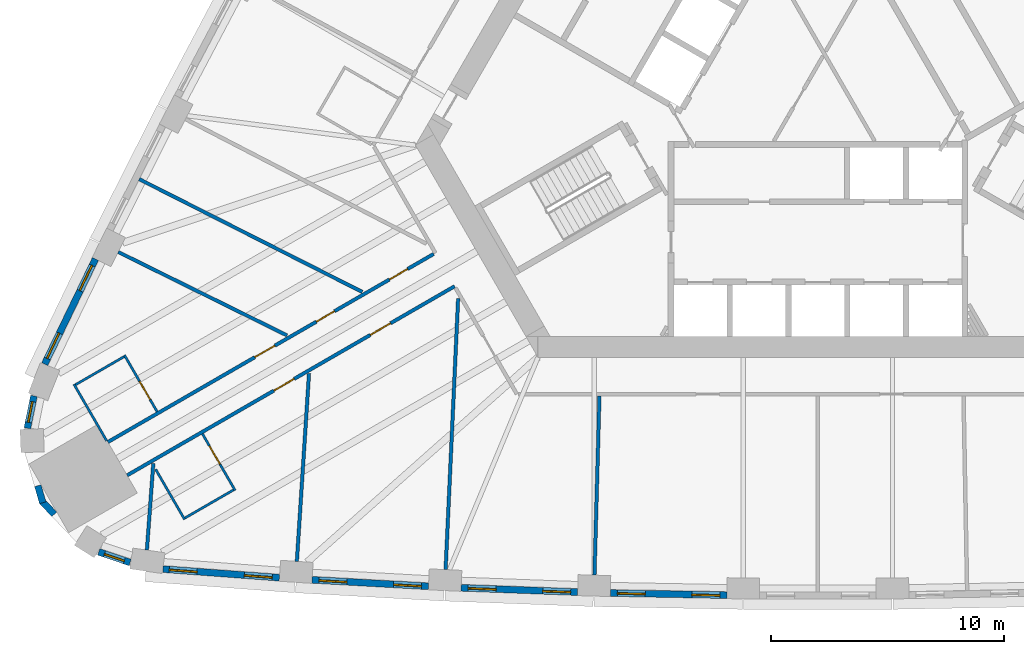
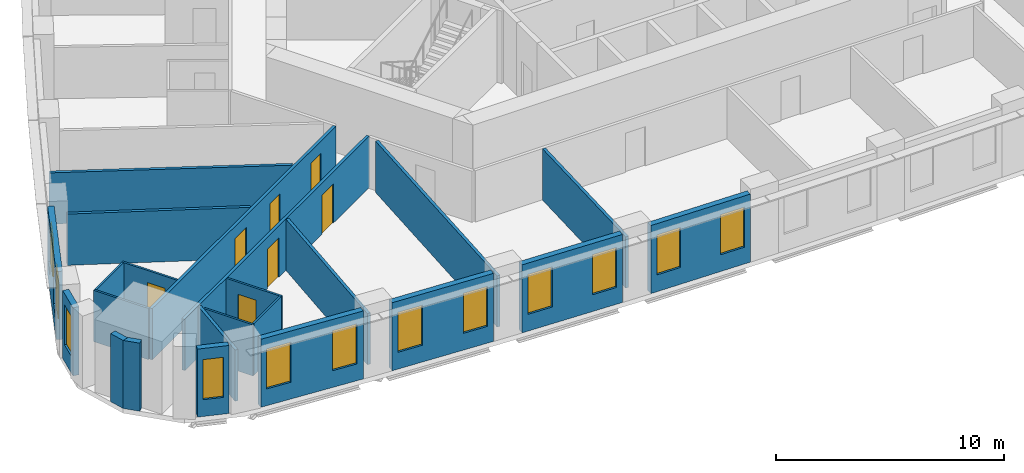
# One storey, part 3 of 12: 23 walls, 12 windows, 7 doors, 19 openings.
"""IFC4 building model written with IfcOpenShell, lengths in metres."""

from ifc_helpers import new_model, si_unit, direction, frame, frame_2d, origin, place, context, subcontext, project, spatial, rectangle, extrude, material, layer, layer_set, type_object, element, fill, save


model = new_model("IFC4")

# Units and contexts
model_context = context("Model", 3, precision=1e-05, world=origin(), true_north=direction((0.0, 1.0)))
body_context = subcontext(model_context, "Body", "Model", "MODEL_VIEW")
ifc_project = project(units=[si_unit("LENGTHUNIT", "METRE"), si_unit("AREAUNIT", "SQUARE_METRE"), si_unit("VOLUMEUNIT", "CUBIC_METRE"), si_unit("PLANEANGLEUNIT", "RADIAN"), si_unit("MASSUNIT", "GRAM", prefix="KILO")], contexts=[model_context])

# Site, building, storey
site_placement = place(None, origin())
site = spatial("IfcSite", under=ifc_project, at=site_placement, CompositionType="ELEMENT")
building_placement = place(site_placement, origin())
building = spatial("IfcBuilding", under=site, at=building_placement, Name="Mestral Congress Tower", CompositionType="ELEMENT")
storey_placement = place(building_placement, frame((0.0, 0.0, 43.199951171875)))
storey = spatial("IfcBuildingStorey", under=building, at=storey_placement, Name="L09", CompositionType="ELEMENT", Elevation=43.199951171875)

# Wall, openings, windows
ifc_material_1 = material(Name="Precast concrete C40/50 with limestone facing", Category="masonry")
ifc_layer_1 = layer(ifc_material_1, 0.2900390625)
ifc_layer_set_1 = layer_set([ifc_layer_1], Name="Precast concrete C40/50 with limestone facing")
wall_type_1 = type_object("IfcWallType", Name="Facade stone wall 290", PredefinedType="SOLIDWALL", material=ifc_layer_set_1)
wall_1_placement = place(storey_placement, frame((-28.097900390625, -22.086181640625, 0.0), z_axis=(0.0, 0.0, 1.0), x_axis=(0.997266290399, -0.073891447643, 0.0)))
wall_1 = element("IfcWall", 1, at=wall_1_placement, inside=storey, type_object=wall_type_1, Name="Facade wall F0-00", PredefinedType="SOLIDWALL", context=body_context, shape_type="SweptSolid", body=[
    extrude(rectangle(XDim=5.005615234375, YDim=0.2900390625, at=frame_2d((2.5029296875, 0.0))), origin(), (0.0, 0.0, 1.0), 3.650146484375),
])
opening_1_placement = place(wall_1_placement, frame((0.26513671875, 0.0, 0.89990234375)))
opening_1 = element("IfcOpeningElement", 2, at=opening_1_placement, cuts=wall_1, Name="Opening W1", PredefinedType="OPENING", context=body_context, shape_type="SweptSolid", body=[
    extrude(rectangle(XDim=1.199951171875, YDim=2.14990234375, at=frame_2d((0.60009765625, 1.074951171875))), frame((0.0, 0.155029296875, 0.0), z_axis=(0.0, -1.0, 0.0), x_axis=(1.0, 0.0, 0.0)), (0.0, 0.0, 1.0), 0.31005859375),
])
opening_2_placement = place(wall_1_placement, frame((3.49560546875, 0.0, 0.89990234375)))
opening_2 = element("IfcOpeningElement", 3, at=opening_2_placement, cuts=wall_1, Name="Opening W1", PredefinedType="OPENING", context=body_context, shape_type="SweptSolid", body=[
    extrude(rectangle(XDim=1.199951171875, YDim=2.14990234375, at=frame_2d((0.60009765625, 1.074951171875))), frame((0.0, 0.155029296875, 0.0), z_axis=(0.0, -1.0, 0.0), x_axis=(1.0, 0.0, 0.0)), (0.0, 0.0, 1.0), 0.31005859375),
])
ifc_material_2 = material(Name="Clear low-emissivity double glazing", Category="glass")
window_type_1 = type_object("IfcWindowType", Name="Facade punched window 1200 x 2150 sill 900", PartitioningType="DOUBLE_PANEL_VERTICAL", PredefinedType="WINDOW", material=ifc_material_2)
window_1_placement = place(opening_1_placement, origin())
window_1 = element("IfcWindow", 4, at=window_1_placement, inside=storey, type_object=window_type_1, Name="Window F0-00a", OverallHeight=2.14990234375, OverallWidth=1.199951171875, PartitioningType="DOUBLE_PANEL_VERTICAL", PredefinedType="WINDOW", context=body_context, shape_type="SweptSolid", body=[
    extrude(rectangle(XDim=1.199951171875, YDim=2.14990234375, at=frame_2d((0.60009765625, 1.074951171875))), frame((0.0, 0.01513671875, 0.0), z_axis=(0.0, -1.0, 0.0), x_axis=(1.0, 0.0, 0.0)), (0.0, 0.0, 1.0), 0.06005859375),
])
fill(opening_1, window_1)
window_2_placement = place(opening_2_placement, origin())
window_2 = element("IfcWindow", 5, at=window_2_placement, inside=storey, type_object=window_type_1, Name="Window F0-00b", OverallHeight=2.14990234375, OverallWidth=1.199951171875, PartitioningType="DOUBLE_PANEL_VERTICAL", PredefinedType="WINDOW", context=body_context, shape_type="SweptSolid", body=[
    extrude(rectangle(XDim=1.199951171875, YDim=2.14990234375, at=frame_2d((0.60009765625, 1.074951171875))), frame((0.0, 0.01513671875, 0.0), z_axis=(0.0, -1.0, 0.0), x_axis=(1.0, 0.0, 0.0)), (0.0, 0.0, 1.0), 0.06005859375),
])
fill(opening_2, window_2)

wall_2_placement = place(storey_placement, frame((-21.701416015625, -22.547119140625, 0.0), z_axis=(0.0, 0.0, 1.0), x_axis=(0.998464708705, -0.055391564976, 0.0)))
wall_2 = element("IfcWall", 6, at=wall_2_placement, inside=storey, type_object=wall_type_1, Name="Facade wall F0-01", PredefinedType="SOLIDWALL", context=body_context, shape_type="SweptSolid", body=[
    extrude(rectangle(XDim=4.998046875, YDim=0.2900390625, at=frame_2d((2.4990234375, 0.0))), origin(), (0.0, 0.0, 1.0), 3.650146484375),
])
opening_3_placement = place(wall_2_placement, frame((0.297119140625, 0.0, 0.89990234375)))
opening_3 = element("IfcOpeningElement", 7, at=opening_3_placement, cuts=wall_2, Name="Opening W1", PredefinedType="OPENING", context=body_context, shape_type="SweptSolid", body=[
    extrude(rectangle(XDim=1.199951171875, YDim=2.14990234375, at=frame_2d((0.60009765625, 1.074951171875))), frame((0.0, 0.155029296875, 0.0), z_axis=(0.0, -1.0, 0.0), x_axis=(1.0, 0.0, 0.0)), (0.0, 0.0, 1.0), 0.31005859375),
])
opening_4_placement = place(wall_2_placement, frame((3.501220703125, 0.0, 0.89990234375)))
opening_4 = element("IfcOpeningElement", 8, at=opening_4_placement, cuts=wall_2, Name="Opening W1", PredefinedType="OPENING", context=body_context, shape_type="SweptSolid", body=[
    extrude(rectangle(XDim=1.199951171875, YDim=2.14990234375, at=frame_2d((0.60009765625, 1.074951171875))), frame((0.0, 0.155029296875, 0.0), z_axis=(0.0, -1.0, 0.0), x_axis=(1.0, 0.0, 0.0)), (0.0, 0.0, 1.0), 0.31005859375),
])
window_3_placement = place(opening_3_placement, origin())
window_3 = element("IfcWindow", 9, at=window_3_placement, inside=storey, type_object=window_type_1, Name="Window F0-01a", OverallHeight=2.14990234375, OverallWidth=1.199951171875, PartitioningType="DOUBLE_PANEL_VERTICAL", PredefinedType="WINDOW", context=body_context, shape_type="SweptSolid", body=[
    extrude(rectangle(XDim=1.199951171875, YDim=2.14990234375, at=frame_2d((0.60009765625, 1.074951171875))), frame((0.0, 0.01513671875, 0.0), z_axis=(0.0, -1.0, 0.0), x_axis=(1.0, 0.0, 0.0)), (0.0, 0.0, 1.0), 0.06005859375),
])
fill(opening_3, window_3)
window_4_placement = place(opening_4_placement, origin())
window_4 = element("IfcWindow", 10, at=window_4_placement, inside=storey, type_object=window_type_1, Name="Window F0-01b", OverallHeight=2.14990234375, OverallWidth=1.199951171875, PartitioningType="DOUBLE_PANEL_VERTICAL", PredefinedType="WINDOW", context=body_context, shape_type="SweptSolid", body=[
    extrude(rectangle(XDim=1.199951171875, YDim=2.14990234375, at=frame_2d((0.60009765625, 1.074951171875))), frame((0.0, 0.01513671875, 0.0), z_axis=(0.0, -1.0, 0.0), x_axis=(1.0, 0.0, 0.0)), (0.0, 0.0, 1.0), 0.06005859375),
])
fill(opening_4, window_4)

wall_3_placement = place(storey_placement, frame((-15.30517578125, -22.88916015625, 0.0), z_axis=(0.0, 0.0, 1.0), x_axis=(0.999317974969, -0.036926750529, 0.0)))
wall_3 = element("IfcWall", 11, at=wall_3_placement, inside=storey, type_object=wall_type_1, Name="Facade wall F0-02", PredefinedType="SOLIDWALL", context=body_context, shape_type="SweptSolid", body=[
    extrude(rectangle(XDim=4.998291015625, YDim=0.2900390625, at=frame_2d((2.4990234375, 0.0))), origin(), (0.0, 0.0, 1.0), 3.650146484375),
])
opening_5_placement = place(wall_3_placement, frame((0.297119140625, 0.0, 0.89990234375)))
opening_5 = element("IfcOpeningElement", 12, at=opening_5_placement, cuts=wall_3, Name="Opening W1", PredefinedType="OPENING", context=body_context, shape_type="SweptSolid", body=[
    extrude(rectangle(XDim=1.199951171875, YDim=2.14990234375, at=frame_2d((0.60009765625, 1.074951171875))), frame((0.0, 0.155029296875, 0.0), z_axis=(0.0, -1.0, 0.0), x_axis=(1.0, 0.0, 0.0)), (0.0, 0.0, 1.0), 0.31005859375),
])
opening_6_placement = place(wall_3_placement, frame((3.501220703125, 0.0, 0.89990234375)))
opening_6 = element("IfcOpeningElement", 13, at=opening_6_placement, cuts=wall_3, Name="Opening W1", PredefinedType="OPENING", context=body_context, shape_type="SweptSolid", body=[
    extrude(rectangle(XDim=1.199951171875, YDim=2.14990234375, at=frame_2d((0.60009765625, 1.074951171875))), frame((0.0, 0.155029296875, 0.0), z_axis=(0.0, -1.0, 0.0), x_axis=(1.0, 0.0, 0.0)), (0.0, 0.0, 1.0), 0.31005859375),
])
window_5_placement = place(opening_5_placement, origin())
window_5 = element("IfcWindow", 14, at=window_5_placement, inside=storey, type_object=window_type_1, Name="Window F0-02a", OverallHeight=2.14990234375, OverallWidth=1.199951171875, PartitioningType="DOUBLE_PANEL_VERTICAL", PredefinedType="WINDOW", context=body_context, shape_type="SweptSolid", body=[
    extrude(rectangle(XDim=1.199951171875, YDim=2.14990234375, at=frame_2d((0.60009765625, 1.074951171875))), frame((0.0, 0.01513671875, 0.0), z_axis=(0.0, -1.0, 0.0), x_axis=(1.0, 0.0, 0.0)), (0.0, 0.0, 1.0), 0.06005859375),
])
fill(opening_5, window_5)
window_6_placement = place(opening_6_placement, origin())
window_6 = element("IfcWindow", 15, at=window_6_placement, inside=storey, type_object=window_type_1, Name="Window F0-02b", OverallHeight=2.14990234375, OverallWidth=1.199951171875, PartitioningType="DOUBLE_PANEL_VERTICAL", PredefinedType="WINDOW", context=body_context, shape_type="SweptSolid", body=[
    extrude(rectangle(XDim=1.199951171875, YDim=2.14990234375, at=frame_2d((0.60009765625, 1.074951171875))), frame((0.0, 0.01513671875, 0.0), z_axis=(0.0, -1.0, 0.0), x_axis=(1.0, 0.0, 0.0)), (0.0, 0.0, 1.0), 0.06005859375),
])
fill(opening_6, window_6)

wall_4_placement = place(storey_placement, frame((-8.903564453125, -23.11279296875, 0.0), z_axis=(0.0, 0.0, 1.0), x_axis=(0.999829529479, -0.018463801951, 0.0)))
wall_4 = element("IfcWall", 16, at=wall_4_placement, inside=storey, type_object=wall_type_1, Name="Facade wall F0-03", PredefinedType="SOLIDWALL", context=body_context, shape_type="SweptSolid", body=[
    extrude(rectangle(XDim=4.998046875, YDim=0.2900390625, at=frame_2d((2.4990234375, 0.0))), origin(), (0.0, 0.0, 1.0), 3.650146484375),
])
opening_7_placement = place(wall_4_placement, frame((0.297119140625, 0.0, 0.89990234375)))
opening_7 = element("IfcOpeningElement", 17, at=opening_7_placement, cuts=wall_4, Name="Opening W1", PredefinedType="OPENING", context=body_context, shape_type="SweptSolid", body=[
    extrude(rectangle(XDim=1.199951171875, YDim=2.14990234375, at=frame_2d((0.60009765625, 1.074951171875))), frame((0.0, 0.155029296875, 0.0), z_axis=(0.0, -1.0, 0.0), x_axis=(1.0, 0.0, 0.0)), (0.0, 0.0, 1.0), 0.31005859375),
])
opening_8_placement = place(wall_4_placement, frame((3.501220703125, 0.0, 0.89990234375)))
opening_8 = element("IfcOpeningElement", 18, at=opening_8_placement, cuts=wall_4, Name="Opening W1", PredefinedType="OPENING", context=body_context, shape_type="SweptSolid", body=[
    extrude(rectangle(XDim=1.199951171875, YDim=2.14990234375, at=frame_2d((0.60009765625, 1.074951171875))), frame((0.0, 0.155029296875, 0.0), z_axis=(0.0, -1.0, 0.0), x_axis=(1.0, 0.0, 0.0)), (0.0, 0.0, 1.0), 0.31005859375),
])
window_7_placement = place(opening_7_placement, origin())
window_7 = element("IfcWindow", 19, at=window_7_placement, inside=storey, type_object=window_type_1, Name="Window F0-03a", OverallHeight=2.14990234375, OverallWidth=1.199951171875, PartitioningType="DOUBLE_PANEL_VERTICAL", PredefinedType="WINDOW", context=body_context, shape_type="SweptSolid", body=[
    extrude(rectangle(XDim=1.199951171875, YDim=2.14990234375, at=frame_2d((0.60009765625, 1.074951171875))), frame((0.0, 0.01513671875, 0.0), z_axis=(0.0, -1.0, 0.0), x_axis=(1.0, 0.0, 0.0)), (0.0, 0.0, 1.0), 0.06005859375),
])
fill(opening_7, window_7)
window_8_placement = place(opening_8_placement, origin())
window_8 = element("IfcWindow", 20, at=window_8_placement, inside=storey, type_object=window_type_1, Name="Window F0-03b", OverallHeight=2.14990234375, OverallWidth=1.199951171875, PartitioningType="DOUBLE_PANEL_VERTICAL", PredefinedType="WINDOW", context=body_context, shape_type="SweptSolid", body=[
    extrude(rectangle(XDim=1.199951171875, YDim=2.14990234375, at=frame_2d((0.60009765625, 1.074951171875))), frame((0.0, 0.01513671875, 0.0), z_axis=(0.0, -1.0, 0.0), x_axis=(1.0, 0.0, 0.0)), (0.0, 0.0, 1.0), 0.06005859375),
])
fill(opening_8, window_8)

wall_5_placement = place(storey_placement, frame((-31.000244140625, -8.7822265625, 0.0), z_axis=(0.0, 0.0, 1.0), x_axis=(-0.434664499056, -0.900592456808, 0.0)))
wall_5 = element("IfcWall", 21, at=wall_5_placement, inside=storey, type_object=wall_type_1, Name="Facade wall F2-08", PredefinedType="SOLIDWALL", context=body_context, shape_type="SweptSolid", body=[
    extrude(rectangle(XDim=5.005615234375, YDim=0.2900390625, at=frame_2d((2.5029296875, 0.0))), origin(), (0.0, 0.0, 1.0), 3.650146484375),
])
opening_9_placement = place(wall_5_placement, frame((0.310302734375, 0.0, 0.89990234375)))
opening_9 = element("IfcOpeningElement", 22, at=opening_9_placement, cuts=wall_5, Name="Opening W1", PredefinedType="OPENING", context=body_context, shape_type="SweptSolid", body=[
    extrude(rectangle(XDim=1.199951171875, YDim=2.14990234375, at=frame_2d((0.60009765625, 1.074951171875))), frame((0.0, 0.155029296875, 0.0), z_axis=(0.0, -1.0, 0.0), x_axis=(1.0, 0.0, 0.0)), (0.0, 0.0, 1.0), 0.31005859375),
])
opening_10_placement = place(wall_5_placement, frame((3.54052734375, 0.0, 0.89990234375)))
opening_10 = element("IfcOpeningElement", 23, at=opening_10_placement, cuts=wall_5, Name="Opening W1", PredefinedType="OPENING", context=body_context, shape_type="SweptSolid", body=[
    extrude(rectangle(XDim=1.199951171875, YDim=2.14990234375, at=frame_2d((0.60009765625, 1.074951171875))), frame((0.0, 0.155029296875, 0.0), z_axis=(0.0, -1.0, 0.0), x_axis=(1.0, 0.0, 0.0)), (0.0, 0.0, 1.0), 0.31005859375),
])
window_9_placement = place(opening_9_placement, origin())
window_9 = element("IfcWindow", 24, at=window_9_placement, inside=storey, type_object=window_type_1, Name="Window F2-08a", OverallHeight=2.14990234375, OverallWidth=1.199951171875, PartitioningType="DOUBLE_PANEL_VERTICAL", PredefinedType="WINDOW", context=body_context, shape_type="SweptSolid", body=[
    extrude(rectangle(XDim=1.199951171875, YDim=2.14990234375, at=frame_2d((0.60009765625, 1.074951171875))), frame((0.0, 0.01513671875, 0.0), z_axis=(0.0, -1.0, 0.0), x_axis=(1.0, 0.0, 0.0)), (0.0, 0.0, 1.0), 0.06005859375),
])
fill(opening_9, window_9)
window_10_placement = place(opening_10_placement, origin())
window_10 = element("IfcWindow", 25, at=window_10_placement, inside=storey, type_object=window_type_1, Name="Window F2-08b", OverallHeight=2.14990234375, OverallWidth=1.199951171875, PartitioningType="DOUBLE_PANEL_VERTICAL", PredefinedType="WINDOW", context=body_context, shape_type="SweptSolid", body=[
    extrude(rectangle(XDim=1.199951171875, YDim=2.14990234375, at=frame_2d((0.60009765625, 1.074951171875))), frame((0.0, 0.01513671875, 0.0), z_axis=(0.0, -1.0, 0.0), x_axis=(1.0, 0.0, 0.0)), (0.0, 0.0, 1.0), 0.06005859375),
])
fill(opening_10, window_10)

# Wall, opening, window
wall_6_placement = place(storey_placement, frame((-33.63720703125, -14.656982421875, 0.0), z_axis=(0.0, 0.0, 1.0), x_axis=(-0.198106888228, -0.980180422594, 0.0)))
wall_6 = element("IfcWall", 26, at=wall_6_placement, inside=storey, type_object=wall_type_1, Name="Facade wall K2-0", PredefinedType="SOLIDWALL", context=body_context, shape_type="SweptSolid", body=[
    extrude(rectangle(XDim=1.414794921875, YDim=0.2900390625, at=frame_2d((0.70751953125, 0.0))), origin(), (0.0, 0.0, 1.0), 3.650146484375),
])
opening_11_placement = place(wall_6_placement, frame((0.25732421875, 0.0, 0.89990234375)))
opening_11 = element("IfcOpeningElement", 27, at=opening_11_placement, cuts=wall_6, Name="Opening W3", PredefinedType="OPENING", context=body_context, shape_type="SweptSolid", body=[
    extrude(rectangle(XDim=0.89990234375, YDim=2.14990234375, at=frame_2d((0.449951171875, 1.074951171875))), frame((0.0, 0.155029296875, 0.0), z_axis=(0.0, -1.0, 0.0), x_axis=(1.0, 0.0, 0.0)), (0.0, 0.0, 1.0), 0.31005859375),
])
window_type_2 = type_object("IfcWindowType", Name="Facade punched window 900 x 2150 sill 900", PartitioningType="SINGLE_PANEL", PredefinedType="WINDOW", material=ifc_material_2)
window_11_placement = place(opening_11_placement, origin())
window_11 = element("IfcWindow", 28, at=window_11_placement, inside=storey, type_object=window_type_2, Name="Window K2-0", OverallHeight=2.14990234375, OverallWidth=0.89990234375, PartitioningType="SINGLE_PANEL", PredefinedType="WINDOW", context=body_context, shape_type="SweptSolid", body=[
    extrude(rectangle(XDim=0.89990234375, YDim=2.14990234375, at=frame_2d((0.449951171875, 1.074951171875))), frame((0.0, 0.01513671875, 0.0), z_axis=(0.0, -1.0, 0.0), x_axis=(1.0, 0.0, 0.0)), (0.0, 0.0, 1.0), 0.06005859375),
])
fill(opening_11, window_11)

# Walls
for number, where, z_axis, x_axis, name in (
    (29, (-33.4697265625, -18.507080078125, 0.0), (0.0, 0.0, 1.0), (0.278981320915, -0.960296528464, 0.0), "Facade wall K2-1"),
    (30, (-33.291259765625, -19.180908203125, 0.0), (0.0, 0.0, 1.0), (0.692252359589, -0.721655506903, 0.0), "Facade wall K2-2"),
):
    element("IfcWall", number, at=place(storey_placement, frame(where, z_axis=z_axis, x_axis=x_axis)), inside=storey, type_object=wall_type_1, Name=name, PredefinedType="SOLIDWALL", context=body_context, shape_type="SweptSolid", body=[
        extrude(rectangle(XDim=0.763916015625, YDim=0.2900390625, at=frame_2d((0.3818359375, 0.0))), origin(), (0.0, 0.0, 1.0), 3.650146484375),
    ])

# Wall, opening, window
wall_7_placement = place(storey_placement, frame((-30.852783203125, -21.3515625, 0.0), z_axis=(0.0, 0.0, 1.0), x_axis=(0.947903891592, -0.318556450734, 0.0)))
wall_7 = element("IfcWall", 31, at=wall_7_placement, inside=storey, type_object=wall_type_1, Name="Facade wall K2-3", PredefinedType="SOLIDWALL", context=body_context, shape_type="SweptSolid", body=[
    extrude(rectangle(XDim=1.414794921875, YDim=0.2900390625, at=frame_2d((0.70751953125, 0.0))), origin(), (0.0, 0.0, 1.0), 3.650146484375),
])
opening_12_placement = place(wall_7_placement, frame((0.25732421875, 0.0, 0.89990234375)))
opening_12 = element("IfcOpeningElement", 32, at=opening_12_placement, cuts=wall_7, Name="Opening W3", PredefinedType="OPENING", context=body_context, shape_type="SweptSolid", body=[
    extrude(rectangle(XDim=0.89990234375, YDim=2.14990234375, at=frame_2d((0.449951171875, 1.074951171875))), frame((0.0, 0.155029296875, 0.0), z_axis=(0.0, -1.0, 0.0), x_axis=(1.0, 0.0, 0.0)), (0.0, 0.0, 1.0), 0.31005859375),
])
window_12_placement = place(opening_12_placement, origin())
window_12 = element("IfcWindow", 33, at=window_12_placement, inside=storey, type_object=window_type_2, Name="Window K2-3", OverallHeight=2.14990234375, OverallWidth=0.89990234375, PartitioningType="SINGLE_PANEL", PredefinedType="WINDOW", context=body_context, shape_type="SweptSolid", body=[
    extrude(rectangle(XDim=0.89990234375, YDim=2.14990234375, at=frame_2d((0.449951171875, 1.074951171875))), frame((0.0, 0.01513671875, 0.0), z_axis=(0.0, -1.0, 0.0), x_axis=(1.0, 0.0, 0.0)), (0.0, 0.0, 1.0), 0.06005859375),
])
fill(opening_12, window_12)

# Wall, opening, door
ifc_material_3 = material(Name="Gypsum board partition on metal studs with mineral wool", Category="composite")
ifc_layer_2 = layer(ifc_material_3, 0.10009765625)
ifc_layer_set_2 = layer_set([ifc_layer_2], Name="Gypsum board partition on metal studs with mineral wool")
wall_type_2 = type_object("IfcWallType", Name="Hotel partition wall 100", PredefinedType="PARTITIONING", material=ifc_layer_set_2)
wall_8_placement = place(storey_placement, frame((-25.0048828125, -18.708984375, 0.0), z_axis=(0.0, 0.0, 1.0), x_axis=(-0.49998411664, 0.866034573852, 0.0)))
wall_8 = element("IfcWall", 34, at=wall_8_placement, inside=storey, type_object=wall_type_2, Name="L09-h-pod01a", PredefinedType="PARTITIONING", context=body_context, shape_type="SweptSolid", body=[
    extrude(rectangle(XDim=2.7998046875, YDim=0.10009765625, at=frame_2d((1.39990234375, 0.0))), origin(), (0.0, 0.0, 1.0), 2.75),
])
opening_13_placement = place(wall_8_placement, frame((1.300048828125, 0.0, 0.0)))
opening_13 = element("IfcOpeningElement", 35, at=opening_13_placement, cuts=wall_8, Name="Opening H02-002", PredefinedType="OPENING", context=body_context, shape_type="SweptSolid", body=[
    extrude(rectangle(XDim=0.89990234375, YDim=2.10009765625, at=frame_2d((0.449951171875, 1.050048828125))), frame((0.0, 0.06005859375, 0.0), z_axis=(0.0, -1.0, 0.0), x_axis=(1.0, 0.0, 0.0)), (0.0, 0.0, 1.0), 0.1201171875),
])
ifc_material_4 = material(Name="Timber veneer door leaf in timber frame", Category="wood")
door_type_1 = type_object("IfcDoorType", Name="Bathroom door 900", OperationType="SINGLE_SWING_LEFT", PredefinedType="DOOR", material=ifc_material_4)
door_1_placement = place(opening_13_placement, origin())
door_1 = element("IfcDoor", 36, at=door_1_placement, inside=storey, type_object=door_type_1, Name="L09-h-d002", OperationType="SINGLE_SWING_LEFT", OverallHeight=2.10009765625, OverallWidth=0.89990234375, PredefinedType="DOOR", context=body_context, shape_type="SweptSolid", body=[
    extrude(rectangle(XDim=0.89990234375, YDim=2.10009765625, at=frame_2d((0.449951171875, 1.050048828125))), frame((0.0, 0.02490234375, 0.0), z_axis=(0.0, -1.0, 0.0), x_axis=(1.0, 0.0, 0.0)), (0.0, 0.0, 1.0), 0.050048828125),
])
fill(opening_13, door_1)

# Walls
wall_9_placement = place(storey_placement, frame((-25.072998046875, -18.690673828125, 0.0), z_axis=(0.0, 0.0, 1.0), x_axis=(-0.866050077142, -0.499957262057, 0.0)))
element("IfcWall", 37, at=wall_9_placement, inside=storey, type_object=wall_type_2, Name="L09-h-pod01b", PredefinedType="PARTITIONING", context=body_context, shape_type="SweptSolid", body=[
    extrude(rectangle(XDim=2.400146484375, YDim=0.10009765625, at=frame_2d((1.2001953125, 0.0))), origin(), (0.0, 0.0, 1.0), 2.75),
])
wall_10_placement = place(storey_placement, frame((-28.414794921875, -17.802490234375, 0.0), z_axis=(0.0, 0.0, 1.0), x_axis=(0.499945955465, -0.866056604163, 0.0)))
element("IfcWall", 38, at=wall_10_placement, inside=storey, type_object=wall_type_2, Name="L09-h-pod01c", PredefinedType="PARTITIONING", context=body_context, shape_type="SweptSolid", body=[
    extrude(rectangle(XDim=2.489990234375, YDim=0.10009765625, at=frame_2d((1.2451171875, 0.0))), origin(), (0.0, 0.0, 1.0), 2.75),
])

# Wall, opening, door
wall_11_placement = place(storey_placement, frame((-28.352294921875, -15.330078125, 0.0), z_axis=(0.0, 0.0, 1.0), x_axis=(-0.500049511043, 0.865996816683, 0.0)))
wall_11 = element("IfcWall", 39, at=wall_11_placement, inside=storey, type_object=wall_type_2, Name="L09-h-pod27a", PredefinedType="PARTITIONING", context=body_context, shape_type="SweptSolid", body=[
    extrude(rectangle(XDim=2.800048828125, YDim=0.10009765625, at=frame_2d((1.39990234375, 0.0))), origin(), (0.0, 0.0, 1.0), 2.75),
])
opening_14_placement = place(wall_11_placement, frame((0.60009765625, 0.0, 0.0)))
opening_14 = element("IfcOpeningElement", 40, at=opening_14_placement, cuts=wall_11, Name="Opening H02-044", PredefinedType="OPENING", context=body_context, shape_type="SweptSolid", body=[
    extrude(rectangle(XDim=0.89990234375, YDim=2.10009765625, at=frame_2d((0.449951171875, 1.050048828125))), frame((0.0, 0.06005859375, 0.0), z_axis=(0.0, -1.0, 0.0), x_axis=(1.0, 0.0, 0.0)), (0.0, 0.0, 1.0), 0.1201171875),
])
door_2_placement = place(opening_14_placement, origin())
door_2 = element("IfcDoor", 41, at=door_2_placement, inside=storey, type_object=door_type_1, Name="L09-h-d044", OperationType="SINGLE_SWING_RIGHT", OverallHeight=2.10009765625, OverallWidth=0.89990234375, PredefinedType="DOOR", context=body_context, shape_type="SweptSolid", body=[
    extrude(rectangle(XDim=0.89990234375, YDim=2.10009765625, at=frame_2d((0.449951171875, 1.050048828125))), frame((0.0, 0.02490234375, 0.0), z_axis=(0.0, -1.0, 0.0), x_axis=(1.0, 0.0, 0.0)), (0.0, 0.0, 1.0), 0.050048828125),
])
fill(opening_14, door_2)

# Walls
wall_12_placement = place(storey_placement, frame((-29.770751953125, -12.973388671875, 0.0), z_axis=(0.0, 0.0, 1.0), x_axis=(-0.865980596518, -0.500077600433, 0.0)))
element("IfcWall", 42, at=wall_12_placement, inside=storey, type_object=wall_type_2, Name="L09-h-pod27b", PredefinedType="PARTITIONING", context=body_context, shape_type="SweptSolid", body=[
    extrude(rectangle(XDim=2.39990234375, YDim=0.10009765625, at=frame_2d((1.199951171875, 0.0))), origin(), (0.0, 0.0, 1.0), 2.75),
])
wall_13_placement = place(storey_placement, frame((-30.517578125, -16.580078125, 0.0), z_axis=(0.0, 0.0, 1.0), x_axis=(-0.49998411664, 0.866034573852, 0.0)))
element("IfcWall", 43, at=wall_13_placement, inside=storey, type_object=wall_type_2, Name="L09-h-pod27c", PredefinedType="PARTITIONING", context=body_context, shape_type="SweptSolid", body=[
    extrude(rectangle(XDim=2.7998046875, YDim=0.10009765625, at=frame_2d((1.39990234375, 0.0))), origin(), (0.0, 0.0, 1.0), 2.75),
])

# Wall, openings, doors
ifc_layer_3 = layer(ifc_material_3, 0.14990234375)
ifc_layer_set_3 = layer_set([ifc_layer_3], Name="Gypsum board partition on metal studs with mineral wool")
wall_type_3 = type_object("IfcWallType", Name="Hotel partition wall 150", PredefinedType="PARTITIONING", material=ifc_layer_set_3)
wall_14_placement = place(storey_placement, frame((-30.462646484375, -16.635009765625, 0.0), z_axis=(0.0, 0.0, 1.0), x_axis=(0.866022394896, 0.500005211512, 0.0)))
wall_14 = element("IfcWall", 44, at=wall_14_placement, inside=storey, type_object=wall_type_3, Name="L09-h-cw10", PredefinedType="PARTITIONING", context=body_context, shape_type="SweptSolid", body=[
    extrude(rectangle(XDim=16.143798828125, YDim=0.14990234375, at=frame_2d((8.07177734375, 0.0))), origin(), (0.0, 0.0, 1.0), 2.75),
])
opening_15_placement = place(wall_14_placement, frame((13.948486328125, 0.0, 0.0)))
opening_15 = element("IfcOpeningElement", 45, at=opening_15_placement, cuts=wall_14, Name="Opening H02-041", PredefinedType="OPENING", context=body_context, shape_type="SweptSolid", body=[
    extrude(rectangle(XDim=0.89990234375, YDim=2.10009765625, at=frame_2d((0.449951171875, 1.050048828125))), frame((0.0, 0.0849609375, 0.0), z_axis=(0.0, -1.0, 0.0), x_axis=(1.0, 0.0, 0.0)), (0.0, 0.0, 1.0), 0.169921875),
])
opening_16_placement = place(wall_14_placement, frame((10.3291015625, 0.0, 0.0)))
opening_16 = element("IfcOpeningElement", 46, at=opening_16_placement, cuts=wall_14, Name="Opening H02-042", PredefinedType="OPENING", context=body_context, shape_type="SweptSolid", body=[
    extrude(rectangle(XDim=0.89990234375, YDim=2.10009765625, at=frame_2d((0.449951171875, 1.050048828125))), frame((0.0, 0.0849609375, 0.0), z_axis=(0.0, -1.0, 0.0), x_axis=(1.0, 0.0, 0.0)), (0.0, 0.0, 1.0), 0.169921875),
])
opening_17_placement = place(wall_14_placement, frame((7.273681640625, 0.0, 0.0)))
opening_17 = element("IfcOpeningElement", 47, at=opening_17_placement, cuts=wall_14, Name="Opening H02-043", PredefinedType="OPENING", context=body_context, shape_type="SweptSolid", body=[
    extrude(rectangle(XDim=1.0, YDim=2.10009765625, at=frame_2d((0.5, 1.050048828125))), frame((0.0, 0.0849609375, 0.0), z_axis=(0.0, -1.0, 0.0), x_axis=(1.0, 0.0, 0.0)), (0.0, 0.0, 1.0), 0.169921875),
])
ifc_material_5 = material(Name="Timber veneer door leaf in metal frame", Category="wood")
door_type_2 = type_object("IfcDoorType", Name="Guest room entrance door 1000", OperationType="SINGLE_SWING_LEFT", PredefinedType="DOOR", material=ifc_material_5)
door_3_placement = place(opening_17_placement, origin())
door_3 = element("IfcDoor", 48, at=door_3_placement, inside=storey, type_object=door_type_2, Name="L09-h-d043", OperationType="SINGLE_SWING_RIGHT", OverallHeight=2.10009765625, OverallWidth=1.0, PredefinedType="DOOR", context=body_context, shape_type="SweptSolid", body=[
    extrude(rectangle(XDim=1.0, YDim=2.10009765625, at=frame_2d((0.5, 1.050048828125))), frame((0.0, 0.02490234375, 0.0), z_axis=(0.0, -1.0, 0.0), x_axis=(1.0, 0.0, 0.0)), (0.0, 0.0, 1.0), 0.050048828125),
])
fill(opening_17, door_3)
door_type_3 = type_object("IfcDoorType", Name="Service room door 900", OperationType="SINGLE_SWING_LEFT", PredefinedType="DOOR", material=ifc_material_5)
door_4_placement = place(opening_15_placement, origin())
door_4 = element("IfcDoor", 49, at=door_4_placement, inside=storey, type_object=door_type_3, Name="L09-h-d041", OperationType="SINGLE_SWING_LEFT", OverallHeight=2.10009765625, OverallWidth=0.89990234375, PredefinedType="DOOR", context=body_context, shape_type="SweptSolid", body=[
    extrude(rectangle(XDim=0.89990234375, YDim=2.10009765625, at=frame_2d((0.449951171875, 1.050048828125))), frame((0.0, 0.02490234375, 0.0), z_axis=(0.0, -1.0, 0.0), x_axis=(1.0, 0.0, 0.0)), (0.0, 0.0, 1.0), 0.050048828125),
])
fill(opening_15, door_4)
door_5_placement = place(opening_16_placement, origin())
door_5 = element("IfcDoor", 50, at=door_5_placement, inside=storey, type_object=door_type_3, Name="L09-h-d042", OperationType="SINGLE_SWING_RIGHT", OverallHeight=2.10009765625, OverallWidth=0.89990234375, PredefinedType="DOOR", context=body_context, shape_type="SweptSolid", body=[
    extrude(rectangle(XDim=0.89990234375, YDim=2.10009765625, at=frame_2d((0.449951171875, 1.050048828125))), frame((0.0, 0.02490234375, 0.0), z_axis=(0.0, -1.0, 0.0), x_axis=(1.0, 0.0, 0.0)), (0.0, 0.0, 1.0), 0.050048828125),
])
fill(opening_16, door_5)

wall_15_placement = place(storey_placement, frame((-15.58740234375, -9.951904296875, 0.0), z_axis=(0.0, 0.0, 1.0), x_axis=(-0.866022197818, -0.500005552856, 0.0)))
wall_15 = element("IfcWall", 51, at=wall_15_placement, inside=storey, type_object=wall_type_3, Name="L09-h-cw11", PredefinedType="PARTITIONING", context=body_context, shape_type="SweptSolid", body=[
    extrude(rectangle(XDim=16.223876953125, YDim=0.14990234375, at=frame_2d((8.11181640625, 0.0))), origin(), (0.0, 0.0, 1.0), 2.75),
])
opening_18_placement = place(wall_15_placement, frame((7.948974609375, 0.0, 0.0)))
opening_18 = element("IfcOpeningElement", 52, at=opening_18_placement, cuts=wall_15, Name="Opening H02-001", PredefinedType="OPENING", context=body_context, shape_type="SweptSolid", body=[
    extrude(rectangle(XDim=1.0, YDim=2.10009765625, at=frame_2d((0.5, 1.050048828125))), frame((0.0, 0.0849609375, 0.0), z_axis=(0.0, -1.0, 0.0), x_axis=(1.0, 0.0, 0.0)), (0.0, 0.0, 1.0), 0.169921875),
])
opening_19_placement = place(wall_15_placement, frame((3.17236328125, 0.0, 0.0)))
opening_19 = element("IfcOpeningElement", 53, at=opening_19_placement, cuts=wall_15, Name="Opening H02-003", PredefinedType="OPENING", context=body_context, shape_type="SweptSolid", body=[
    extrude(rectangle(XDim=1.0, YDim=2.10009765625, at=frame_2d((0.5, 1.050048828125))), frame((0.0, 0.0849609375, 0.0), z_axis=(0.0, -1.0, 0.0), x_axis=(1.0, 0.0, 0.0)), (0.0, 0.0, 1.0), 0.169921875),
])
door_6_placement = place(opening_18_placement, origin())
door_6 = element("IfcDoor", 54, at=door_6_placement, inside=storey, type_object=door_type_2, Name="L09-h-d001", OperationType="SINGLE_SWING_LEFT", OverallHeight=2.10009765625, OverallWidth=1.0, PredefinedType="DOOR", context=body_context, shape_type="SweptSolid", body=[
    extrude(rectangle(XDim=1.0, YDim=2.10009765625, at=frame_2d((0.5, 1.050048828125))), frame((0.0, 0.02490234375, 0.0), z_axis=(0.0, -1.0, 0.0), x_axis=(1.0, 0.0, 0.0)), (0.0, 0.0, 1.0), 0.050048828125),
])
fill(opening_18, door_6)
door_7_placement = place(opening_19_placement, origin())
door_7 = element("IfcDoor", 55, at=door_7_placement, inside=storey, type_object=door_type_2, Name="L09-h-d003", OperationType="SINGLE_SWING_RIGHT", OverallHeight=2.10009765625, OverallWidth=1.0, PredefinedType="DOOR", context=body_context, shape_type="SweptSolid", body=[
    extrude(rectangle(XDim=1.0, YDim=2.10009765625, at=frame_2d((0.5, 1.050048828125))), frame((0.0, 0.02490234375, 0.0), z_axis=(0.0, -1.0, 0.0), x_axis=(1.0, 0.0, 0.0)), (0.0, 0.0, 1.0), 0.050048828125),
])
fill(opening_19, door_7)

# Walls
wall_16_placement = place(storey_placement, frame((-28.78955078125, -21.272705078125, 0.0), z_axis=(0.0, 0.0, 1.0), x_axis=(0.07382592098, 0.997271143366, 0.0)))
element("IfcWall", 56, at=wall_16_placement, inside=storey, type_object=wall_type_3, Name="L09-h-pw01", PredefinedType="PARTITIONING", context=body_context, shape_type="SweptSolid", body=[
    extrude(rectangle(XDim=3.733642578125, YDim=0.14990234375, at=frame_2d((1.86669921875, 0.0))), origin(), (0.0, 0.0, 1.0), 2.75),
])
for number, where, z_axis, x_axis, name in (
    (57, (-30.017578125, -8.48291015625, 0.0), (0.0, 0.0, 1.0), (0.896544505264, -0.44295366584, 0.0), "L09-h-pw02"),
    (58, (-22.355224609375, -21.75439453125, 0.0), (0.0, 0.0, 1.0), (0.064639533143, 0.997908678565, 0.0), "L09-h-pw03"),
):
    element("IfcWall", number, at=place(storey_placement, frame(where, z_axis=z_axis, x_axis=x_axis)), inside=storey, type_object=wall_type_3, Name=name, PredefinedType="PARTITIONING", context=body_context, shape_type="SweptSolid", body=[
        extrude(rectangle(XDim=8.078857421875, YDim=0.14990234375, at=frame_2d((4.03955078125, 0.0))), origin(), (0.0, 0.0, 1.0), 2.75),
    ])
wall_17_placement = place(storey_placement, frame((-29.119873046875, -5.355712890625, 0.0), z_axis=(0.0, 0.0, 1.0), x_axis=(0.892401965553, -0.451241323327, 0.0)))
element("IfcWall", 59, at=wall_17_placement, inside=storey, type_object=wall_type_3, Name="L09-h-pw04", PredefinedType="PARTITIONING", context=body_context, shape_type="SweptSolid", body=[
    extrude(rectangle(XDim=10.728759765625, YDim=0.14990234375, at=frame_2d((5.3642578125, 0.0))), origin(), (0.0, 0.0, 1.0), 2.75),
])
wall_18_placement = place(storey_placement, frame((-15.973388671875, -22.10888671875, 0.0), z_axis=(0.0, 0.0, 1.0), x_axis=(0.046191717129, 0.998932592955, 0.0)))
element("IfcWall", 60, at=wall_18_placement, inside=storey, type_object=wall_type_3, Name="L09-h-pw07", PredefinedType="PARTITIONING", context=body_context, shape_type="SweptSolid", body=[
    extrude(rectangle(XDim=11.638427734375, YDim=0.14990234375, at=frame_2d((5.8193359375, 0.0))), origin(), (0.0, 0.0, 1.0), 2.75),
])
wall_19_placement = place(storey_placement, frame((-9.586181640625, -22.34521484375, 0.0), z_axis=(0.0, 0.0, 1.0), x_axis=(0.027722115646, 0.999615668297, 0.0)))
element("IfcWall", 61, at=wall_19_placement, inside=storey, type_object=wall_type_3, Name="L09-h-pw10", PredefinedType="PARTITIONING", context=body_context, shape_type="SweptSolid", body=[
    extrude(rectangle(XDim=7.688232421875, YDim=0.14990234375, at=frame_2d((3.84423828125, 0.0))), origin(), (0.0, 0.0, 1.0), 2.75),
])

save(model, "model.ifc")
